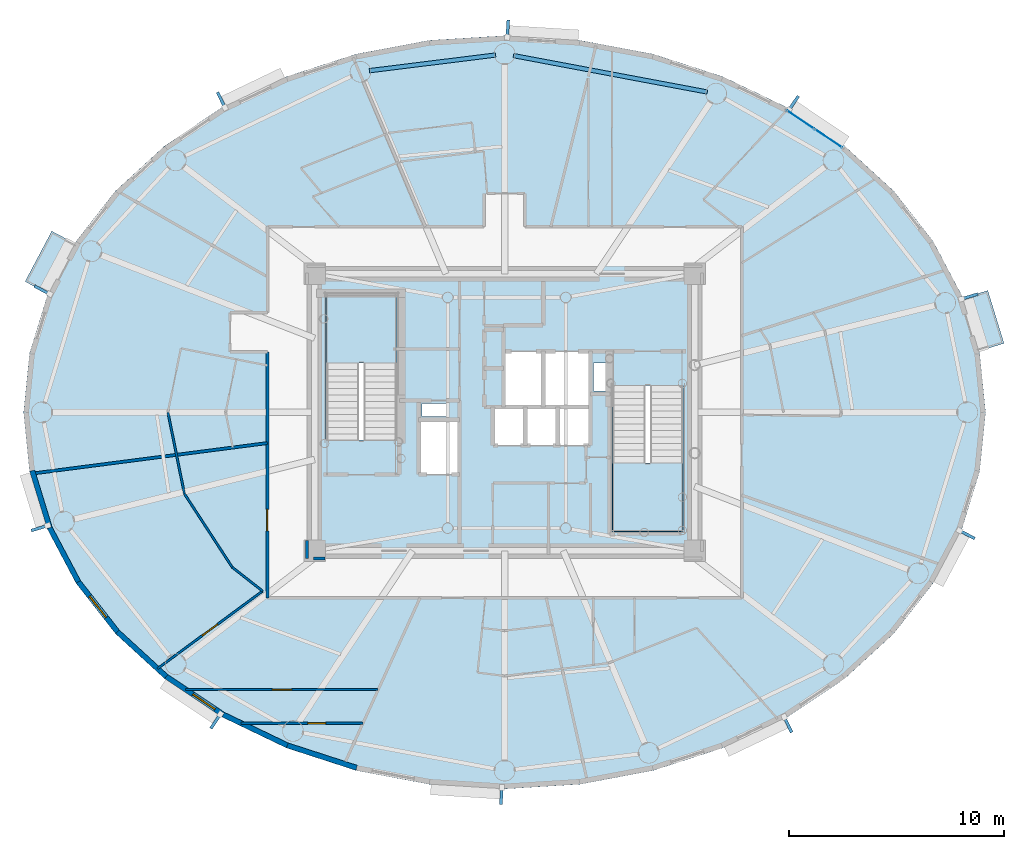
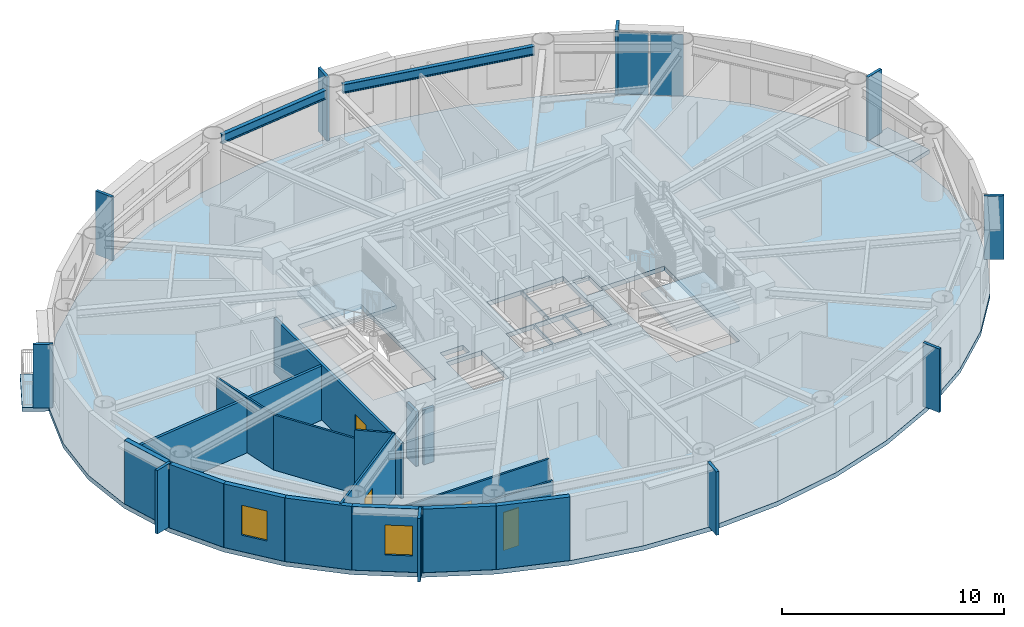
# One storey, part 4 of 17: 17 walls, 12 plates, 5 slabs, 4 doors, 2 beams, 2 windows, 6 openings, 3 elements without a shape of their own.
"""IFC4 building model written with IfcOpenShell, lengths in metres."""

import ifcopenshell
import ifcopenshell.guid

model = None  # the IFC model being written
_history = None  # IfcOwnerHistory: only IFC2X3 demands one
_inside = {}  # id of a spatial element -> (the spatial element, [elements in it])
_under = {}  # id of a project, library or spatial element -> (it, [spatial elements below it])
_declared = {}  # id of a project -> (the project, [libraries it declares])
_typed = {}  # id of a type object -> (the type object, [elements of that type])
_made_of = {}  # id of a material, layer set ... -> (it, [elements and type objects made of it])


def new_model(schema):
    """Start an empty IFC model of exactly this schema.

    Asked for "IFC4X3", IfcOpenShell would pick the latest addendum, in which some entities
    have other attributes; the version numbers below select the first issue.
    IFC2X3 requires an IfcOwnerHistory on every rooted entity: one is made here for all.
    """
    global model, _history
    if schema == "IFC4X3":
        model = ifcopenshell.file(schema_version=(4, 3, 0, 0))
    else:
        model = ifcopenshell.file(schema=schema)
    _inside.clear()
    _under.clear()
    _declared.clear()
    _typed.clear()
    _made_of.clear()
    _history = None
    if model.schema == "IFC2X3":
        org = make("IfcOrganization", Name="unknown")
        user = make(
            "IfcPersonAndOrganization",
            ThePerson=make("IfcPerson", FamilyName="unknown"),
            TheOrganization=org,
        )
        app = make(
            "IfcApplication",
            ApplicationDeveloper=org,
            Version="unknown",
            ApplicationFullName="unknown",
            ApplicationIdentifier="unknown",
        )
        _history = make(
            "IfcOwnerHistory",
            OwningUser=user,
            OwningApplication=app,
            ChangeAction="ADDED",
            CreationDate=0,
        )
    return model


def make(cls, **values):
    """One entity of the class cls with the attributes given. An attribute that is None is left unset."""
    return model.create_entity(
        cls, **{name: value for name, value in values.items() if value is not None}
    )


def rooted(cls, **values):
    """An entity with a GlobalId (a new one), such as an element, a storey or a relation."""
    return make(cls, GlobalId=ifcopenshell.guid.new(), OwnerHistory=_history, **values)


def si_unit(unit_type, name, prefix=None):
    """IfcSIUnit, for example si_unit("LENGTHUNIT", "METRE", prefix="MILLI")."""
    return make("IfcSIUnit", UnitType=unit_type, Prefix=prefix, Name=name)


def assignment(units):
    """IfcUnitAssignment: the units of a project."""
    return None if units is None else make("IfcUnitAssignment", Units=units)


def point(xyz):
    """IfcCartesianPoint."""
    return None if xyz is None else make("IfcCartesianPoint", Coordinates=xyz)


def direction(xyz):
    """IfcDirection."""
    return None if xyz is None else make("IfcDirection", DirectionRatios=xyz)


def frame(location, z_axis=None, x_axis=None):
    """IfcAxis2Placement3D, a coordinate frame: its origin and axes. An axis left out is left unset."""
    return make(
        "IfcAxis2Placement3D",
        Location=point(location),
        Axis=direction(z_axis),
        RefDirection=direction(x_axis),
    )


def frame_2d(location, x_axis=None):
    """IfcAxis2Placement2D, a coordinate frame in the plane: its origin and x axis."""
    return make(
        "IfcAxis2Placement2D", Location=point(location), RefDirection=direction(x_axis)
    )


def origin():
    """The frame at (0, 0, 0) with its axes left unset."""
    return frame((0.0, 0.0, 0.0))


def origin_2d():
    """The frame at (0, 0) in the plane with its x axis left unset."""
    return frame_2d((0.0, 0.0))


def place(relative_to, where):
    """IfcLocalPlacement: puts the frame where relative to a parent placement (None: the world)."""
    return make(
        "IfcLocalPlacement", PlacementRelTo=relative_to, RelativePlacement=where
    )


def context(
    kind, dimensions, precision=None, world=None, true_north=None, identifier=None
):
    """IfcGeometricRepresentationContext, for example the 3D "Model" context."""
    return make(
        "IfcGeometricRepresentationContext",
        ContextIdentifier=identifier,
        ContextType=kind,
        CoordinateSpaceDimension=dimensions,
        Precision=precision,
        WorldCoordinateSystem=world,
        TrueNorth=true_north,
    )


def subcontext(parent, identifier, kind, view, scale=None):
    """IfcGeometricRepresentationSubContext, for example "Body" below "Model"."""
    return make(
        "IfcGeometricRepresentationSubContext",
        ContextIdentifier=identifier,
        ContextType=kind,
        ParentContext=parent,
        TargetScale=scale,
        TargetView=view,
    )


def project(units=None, contexts=None):
    """IfcProject with its units and contexts."""
    return rooted(
        "IfcProject",
        Name="project",
        RepresentationContexts=contexts,
        UnitsInContext=assignment(units),
    )


def spatial(cls, under=None, at=None, **own):
    """A site, building, storey or space (cls), placed at a placement, below another one or the project."""
    s = rooted(cls, ObjectPlacement=at, **own)
    if under is not None:
        _under.setdefault(under.id(), (under, []))[1].append(s)
    return s


def polyline(points):
    """IfcPolyline through the points."""
    return make("IfcPolyline", Points=[point(p) for p in points])


def profile(cls, at=None, kind="AREA", **sizes):
    """A parametric profile (cls). Its sizes go by their IFC names, for example OverallWidth=200.0."""
    return make(cls, ProfileType=kind, Position=at, **sizes)


def rectangle(**sizes):
    """IfcRectangleProfileDef."""
    return profile("IfcRectangleProfileDef", **sizes)


def i_section(**sizes):
    """IfcIShapeProfileDef."""
    return profile("IfcIShapeProfileDef", **sizes)


def outline(outer, holes=None, kind="AREA"):
    """IfcArbitraryClosedProfileDef: a profile drawn as a closed curve; with holes, ...WithVoids."""
    if holes is None:
        return make("IfcArbitraryClosedProfileDef", ProfileType=kind, OuterCurve=outer)
    return make(
        "IfcArbitraryProfileDefWithVoids",
        ProfileType=kind,
        OuterCurve=outer,
        InnerCurves=holes,
    )


def extrude(swept, where, along, depth):
    """IfcExtrudedAreaSolid: the profile swept, set in the frame where, extruded along a direction by depth."""
    return make(
        "IfcExtrudedAreaSolid",
        SweptArea=swept,
        Position=where,
        ExtrudedDirection=direction(along),
        Depth=depth,
    )


def shape(context_of_items, identifier, shape_type, items):
    """IfcShapeRepresentation: the items that make up one representation, for example the "Body"."""
    return make(
        "IfcShapeRepresentation",
        ContextOfItems=context_of_items,
        RepresentationIdentifier=identifier,
        RepresentationType=shape_type,
        Items=items,
    )


def source(mapping_origin, context_of_items, identifier, shape_type, items):
    """IfcRepresentationMap: a shape defined once, which mapped items show again and again."""
    return make(
        "IfcRepresentationMap",
        MappingOrigin=mapping_origin,
        MappedRepresentation=shape(context_of_items, identifier, shape_type, items),
    )


def transform(
    local_origin,
    x_axis=None,
    y_axis=None,
    z_axis=None,
    scale=None,
    scale2=None,
    scale3=None,
    uniform=True,
):
    """IfcCartesianTransformationOperator3D, or its non-uniform kind. x_axis, y_axis, z_axis: its Axis1, 2, 3."""
    if uniform:
        return make(
            "IfcCartesianTransformationOperator3D",
            Axis1=direction(x_axis),
            Axis2=direction(y_axis),
            LocalOrigin=point(local_origin),
            Scale=scale,
            Axis3=direction(z_axis),
        )
    return make(
        "IfcCartesianTransformationOperator3DnonUniform",
        Axis1=direction(x_axis),
        Axis2=direction(y_axis),
        LocalOrigin=point(local_origin),
        Scale=scale,
        Axis3=direction(z_axis),
        Scale2=scale2,
        Scale3=scale3,
    )


def mapped(mapping_source, mapping_target):
    """IfcMappedItem: shows the shape of a source again, moved by a transform."""
    return make(
        "IfcMappedItem", MappingSource=mapping_source, MappingTarget=mapping_target
    )


def material(Name=None, Category=None):
    """IfcMaterial."""
    return make("IfcMaterial", Name=Name, Category=Category)


def layer(
    of_material, thickness, ventilated=None, Name=None, Category=None, Priority=None
):
    """IfcMaterialLayer: one layer of a wall or slab, of a material (None: an air gap)."""
    return make(
        "IfcMaterialLayer",
        Material=of_material,
        LayerThickness=thickness,
        IsVentilated=ventilated,
        Name=Name,
        Category=Category,
        Priority=Priority,
    )


def layer_set(layers, Name=None):
    """IfcMaterialLayerSet."""
    return make("IfcMaterialLayerSet", MaterialLayers=layers, LayerSetName=Name)


def material_profile(
    of_material, cross_section, Name=None, Category=None, Priority=None
):
    """IfcMaterialProfile: a cross section and its material."""
    return make(
        "IfcMaterialProfile",
        Name=Name,
        Material=of_material,
        Profile=cross_section,
        Priority=Priority,
        Category=Category,
    )


def profile_set(profiles, Name=None, composite=None):
    """IfcMaterialProfileSet."""
    return make(
        "IfcMaterialProfileSet",
        Name=Name,
        MaterialProfiles=profiles,
        CompositeProfile=composite,
    )


def made_of(thing, what):
    """Note that an element or type object is made of a material, layer set ...; save() writes the relation."""
    if what is not None:
        _made_of.setdefault(what.id(), (what, []))[1].append(thing)
    return thing


def type_object(cls, material=None, **own):
    """A type object (cls), such as IfcWallType, which elements share."""
    return made_of(rooted(cls, **own), material)


def element(
    cls,
    number,
    at=None,
    inside=None,
    cuts=None,
    type_object=None,
    material=None,
    context=None,
    identifier="Body",
    shape_type=None,
    held_by="IfcProductDefinitionShape",
    body=None,
    shapes=None,
    **own,
):
    """One element of the class cls, such as IfcWall. Its Tag is "e" and its number.

    at: its placement. inside: the storey or other place that contains it. cuts: it is an
    opening in that element (IfcRelVoidsElement). A single representation is given by context,
    identifier, shape_type and body (its items); several are given by shapes. held_by: the class
    of the entity that holds the representations. save() writes the other relations.
    """
    e = rooted(cls, Tag="e%d" % number, ObjectPlacement=at, **own)
    if body is not None:
        shapes = [shape(context, identifier, shape_type, body)]
    if shapes is not None:
        e.Representation = make(held_by, Representations=shapes)
    if inside is not None:
        _inside.setdefault(inside.id(), (inside, []))[1].append(e)
    if cuts is not None:
        rooted(
            "IfcRelVoidsElement", RelatingBuildingElement=cuts, RelatedOpeningElement=e
        )
    if type_object is not None:
        _typed.setdefault(type_object.id(), (type_object, []))[1].append(e)
    return made_of(e, material)


def fill(opening, filler):
    """IfcRelFillsElement: the door or window that sits in an opening."""
    return rooted(
        "IfcRelFillsElement",
        RelatingOpeningElement=opening,
        RelatedBuildingElement=filler,
    )


def aggregate(whole, parts):
    """IfcRelAggregates: a whole, such as a stair, and the parts it consists of."""
    return rooted("IfcRelAggregates", RelatingObject=whole, RelatedObjects=parts)


def save(model, path):
    """Write the relations noted so far, then the file.

    IfcRelAggregates (storeys below a building ...), IfcRelContainedInSpatialStructure (elements
    in a storey), IfcRelDefinesByType, IfcRelAssociatesMaterial and IfcRelDeclares: one each for
    every whole, place, type object, material and project.
    """
    for whole, parts in _under.values():
        aggregate(whole, parts)
    for where, things in _inside.values():
        rooted(
            "IfcRelContainedInSpatialStructure",
            RelatedElements=things,
            RelatingStructure=where,
        )
    for kind, things in _typed.values():
        rooted("IfcRelDefinesByType", RelatedObjects=things, RelatingType=kind)
    for what, things in _made_of.values():
        rooted("IfcRelAssociatesMaterial", RelatedObjects=things, RelatingMaterial=what)
    for by, libraries in _declared.values():
        rooted("IfcRelDeclares", RelatingContext=by, RelatedDefinitions=libraries)
    model.write(path)


model = new_model("IFC4")

# Units and contexts
model_context = context("Model", 3, precision=1e-05, world=origin(), true_north=direction((0.0, 1.0)))
body_context = subcontext(model_context, "Body", "Model", "MODEL_VIEW")
ifc_project = project(units=[si_unit("LENGTHUNIT", "METRE"), si_unit("AREAUNIT", "SQUARE_METRE"), si_unit("VOLUMEUNIT", "CUBIC_METRE"), si_unit("PLANEANGLEUNIT", "RADIAN"), si_unit("MASSUNIT", "GRAM", prefix="KILO")], contexts=[model_context])

# Site, building, storey
site_placement = place(None, origin())
site = spatial("IfcSite", under=ifc_project, at=site_placement, CompositionType="ELEMENT")
building_placement = place(site_placement, origin())
building = spatial("IfcBuilding", under=site, at=building_placement, Name="Linh Dai School and Residence Tower", CompositionType="ELEMENT")
storey_placement = place(building_placement, frame((0.0, 0.0, 303.0)))
storey = spatial("IfcBuildingStorey", under=building, at=storey_placement, Name="L75", CompositionType="ELEMENT", Elevation=303.0)

# Beams
ifc_material_1 = material(Name="Structural Steel S355JR", Category="steel")
ifc_material_profile = material_profile(ifc_material_1, i_section(OverallWidth=0.199951171875, OverallDepth=0.5, WebThickness=0.01025390625, FlangeThickness=0.01611328125, FilletRadius=0.02099609375, at=origin_2d()), Name="IPE 500")
ifc_profile_set = profile_set([ifc_material_profile], Name="Structural Steel S355JR")
beam_type = type_object("IfcBeamType", Name="BM-RB50", PredefinedType="BEAM", material=ifc_profile_set)
beam_1_placement = place(storey_placement, frame((45.441650390625, 41.916259765625, 3.25), z_axis=(-0.982805333306, 0.184644731378, 0.0), x_axis=(-0.184644731378, -0.982805333306, 0.0)))
element("IfcBeam", 1, at=beam_1_placement, inside=storey, type_object=beam_type, Name="L75 Perimeter Elliptical Ring Beam 04", PredefinedType="BEAM", context=body_context, shape_type="SweptSolid", body=[
    extrude(i_section(OverallWidth=0.199951171875, OverallDepth=0.5, WebThickness=0.01025390625, FlangeThickness=0.01611328125, FilletRadius=0.02099609375, at=origin_2d()), origin(), (0.0, 0.0, 1.0), 9.186767578125),
])
beam_2_placement = place(storey_placement, frame((35.583251953125, 43.638427734375, 3.25), z_axis=(-0.992399134443, -0.123060789678, 0.0), x_axis=(0.123060789678, -0.992399134443, 0.0)))
element("IfcBeam", 2, at=beam_2_placement, inside=storey, type_object=beam_type, Name="L75 Perimeter Elliptical Ring Beam 05", PredefinedType="BEAM", context=body_context, shape_type="SweptSolid", body=[
    extrude(i_section(OverallWidth=0.199951171875, OverallDepth=0.5, WebThickness=0.01025390625, FlangeThickness=0.01611328125, FilletRadius=0.02099609375, at=origin_2d()), origin(), (0.0, 0.0, 1.0), 5.923828125),
])

# Slabs
ifc_material_2 = material(Name="Concrete B45 (C35/45)", Category="concrete")
ifc_layer_1 = layer(ifc_material_2, 0.219970703125)
ifc_layer_set_1 = layer_set([ifc_layer_1], Name="Concrete B45 (C35/45)")
slab_type_1 = type_object("IfcSlabType", Name="SLB-BALC-220", PredefinedType="FLOOR", material=ifc_layer_set_1)
slab_1_placement = place(storey_placement, frame((0.0, 0.0, -0.219970703125)))
element("IfcSlab", 3, at=slab_1_placement, inside=storey, type_object=slab_type_1, Name="L75 Sliding Balcony Slab 02", PredefinedType="FLOOR", context=body_context, shape_type="SweptSolid", body=[
    extrude(outline(polyline([(57.260498046875, 32.289794921875), (58.015380859375, 29.827880859375), (59.25830078125, 30.208984375), (58.50341796875, 32.6708984375), (57.260498046875, 32.289794921875)])), origin(), (0.0, 0.0, 1.0), 0.219970703125),
])
slab_2_placement = place(storey_placement, frame((0.0, 0.0, -0.219970703125)))
element("IfcSlab", 4, at=slab_2_placement, inside=storey, type_object=slab_type_1, Name="L75 Sliding Balcony Slab 18", PredefinedType="FLOOR", context=body_context, shape_type="SweptSolid", body=[
    extrude(outline(polyline([(14.81884765625, 32.481689453125), (16.0595703125, 34.827392578125), (14.91064453125, 35.435302734375), (13.669677734375, 33.089599609375), (14.81884765625, 32.481689453125)])), origin(), (0.0, 0.0, 1.0), 0.219970703125),
])
ifc_layer_2 = layer(ifc_material_2, 0.25)
ifc_layer_set_2 = layer_set([ifc_layer_2], Name="Concrete B45 (C35/45)")
slab_type_2 = type_object("IfcSlabType", Name="SLB-FLR250", PredefinedType="FLOOR", material=ifc_layer_set_2)
slab_3_placement = place(storey_placement, frame((0.0, 0.0, -0.25)))
element("IfcSlab", 5, at=slab_3_placement, inside=storey, type_object=slab_type_2, Name="L75 Composite Structural Floor Slab", PredefinedType="FLOOR", context=body_context, shape_type="SweptSolid", body=[
    extrude(outline(polyline([(58.39990234375, 27.0), (58.124267578125, 29.743896484375), (57.3037109375, 32.420166015625), (55.95849609375, 34.962890625), (54.1220703125, 37.309814453125), (51.839111328125, 39.402587890625), (49.16650390625, 41.190185546875), (46.16943359375, 42.628173828125), (42.921875, 43.681640625), (39.504150390625, 44.323974609375), (36.0, 44.5400390625), (32.495849609375, 44.323974609375), (29.078125, 43.681640625), (25.83056640625, 42.628173828125), (22.83349609375, 41.190185546875), (20.160888671875, 39.402587890625), (17.8779296875, 37.309814453125), (16.04150390625, 34.962890625), (14.6962890625, 32.420166015625), (13.875732421875, 29.743896484375), (13.60009765625, 27.0), (13.875732421875, 24.256103515625), (14.6962890625, 21.579833984375), (16.04150390625, 19.037109375), (17.8779296875, 16.690185546875), (20.160888671875, 14.597412109375), (22.83349609375, 12.809814453125), (25.83056640625, 11.371826171875), (29.078125, 10.318359375), (32.495849609375, 9.676025390625), (36.0, 9.4599609375), (39.504150390625, 9.676025390625), (42.921875, 10.318359375), (46.16943359375, 11.371826171875), (49.16650390625, 12.809814453125), (51.839111328125, 14.597412109375), (54.1220703125, 16.690185546875), (55.95849609375, 19.037109375), (57.3037109375, 21.579833984375), (58.124267578125, 24.256103515625), (58.39990234375, 27.0)]), holes=[polyline([(30.97998046875, 25.699951171875), (30.97998046875, 32.5), (27.679931640625, 32.5), (27.679931640625, 25.699951171875), (30.97998046875, 25.699951171875)]), polyline([(41.02001953125, 28.25), (41.02001953125, 21.449951171875), (44.320068359375, 21.449951171875), (44.320068359375, 28.25), (41.02001953125, 28.25)]), polyline([(35.97998046875, 27.280029296875), (37.77001953125, 27.280029296875), (37.77001953125, 29.820068359375), (35.97998046875, 29.820068359375), (35.97998046875, 27.280029296875)]), polyline([(32.030029296875, 24.1298828125), (33.8701171875, 24.1298828125), (33.8701171875, 26.6201171875), (32.030029296875, 26.6201171875), (32.030029296875, 24.1298828125)]), polyline([(37.830078125, 27.280029296875), (39.969970703125, 27.280029296875), (39.969970703125, 29.820068359375), (37.830078125, 29.820068359375), (37.830078125, 27.280029296875)]), polyline([(35.47998046875, 25.47998046875), (36.929931640625, 25.47998046875), (36.929931640625, 27.219970703125), (35.47998046875, 27.219970703125), (35.47998046875, 25.47998046875)]), polyline([(36.989990234375, 25.47998046875), (38.449951171875, 25.47998046875), (38.449951171875, 27.219970703125), (36.989990234375, 27.219970703125), (36.989990234375, 25.47998046875)]), polyline([(38.510009765625, 25.47998046875), (39.969970703125, 25.47998046875), (39.969970703125, 27.219970703125), (38.510009765625, 27.219970703125), (38.510009765625, 25.47998046875)]), polyline([(40.14990234375, 28.0), (40.14990234375, 29.300048828125), (41.0, 29.300048828125), (41.0, 28.280029296875), (40.989990234375, 28.280029296875), (40.989990234375, 28.0), (40.14990234375, 28.0)]), polyline([(32.14990234375, 26.800048828125), (33.35009765625, 26.800048828125), (33.35009765625, 27.39990234375), (32.14990234375, 27.39990234375), (32.14990234375, 26.800048828125)])]), origin(), (0.0, 0.0, 1.0), 0.25),
])

# Stair, slab
stair_type = type_object("IfcStairType", Name="ST-DOG-1550-R1442", PredefinedType="HALF_TURN_STAIR", material=ifc_material_2)
stair_1_placement = place(storey_placement, origin())
stair_1 = element("IfcStair", 6, at=stair_1_placement, inside=storey, type_object=stair_type, Name="L75 Core Smokeproof Exit Stair ST1", PredefinedType="HALF_TURN_STAIR")
ifc_layer_3 = layer(ifc_material_2, 0.199951171875)
ifc_layer_set_3 = layer_set([ifc_layer_3], Name="Concrete B45 (C35/45)")
slab_type_3 = type_object("IfcSlabType", Name="SLB-ST-LANDING-200", PredefinedType="LANDING", material=ifc_layer_set_3)
slab_4_placement = place(storey_placement, frame((0.0, 0.0, 1.675048828125)))
slab_4 = element("IfcSlab", 7, at=slab_4_placement, type_object=slab_type_3, Name="ST1 landing 1", PredefinedType="LANDING", context=body_context, shape_type="SweptSolid", body=[
    extrude(outline(polyline([(30.97998046875, 29.300048828125), (30.97998046875, 32.5), (27.679931640625, 32.5), (27.679931640625, 29.300048828125), (30.97998046875, 29.300048828125)])), origin(), (0.0, 0.0, 1.0), 0.199951171875),
])
aggregate(stair_1, [slab_4])

stair_2_placement = place(storey_placement, origin())
stair_2 = element("IfcStair", 8, at=stair_2_placement, inside=storey, type_object=stair_type, Name="L75 Core Smokeproof Exit Stair ST2", PredefinedType="HALF_TURN_STAIR")
slab_5_placement = place(storey_placement, frame((0.0, 0.0, 1.675048828125)))
slab_5 = element("IfcSlab", 9, at=slab_5_placement, type_object=slab_type_3, Name="ST2 landing 1", PredefinedType="LANDING", context=body_context, shape_type="SweptSolid", body=[
    extrude(outline(polyline([(41.02001953125, 24.64990234375), (41.02001953125, 21.449951171875), (44.320068359375, 21.449951171875), (44.320068359375, 24.64990234375), (41.02001953125, 24.64990234375)])), origin(), (0.0, 0.0, 1.0), 0.199951171875),
])
aggregate(stair_2, [slab_5])

# Plates
ifc_material_3 = material(Name="Precast Concrete B45 (C35/45)", Category="concrete")
ifc_layer_4 = layer(ifc_material_3, 0.139892578125)
ifc_layer_set_4 = layer_set([ifc_layer_4], Name="Precast Concrete B45 (C35/45)")
plate_type_1 = type_object("IfcPlateType", Name="FIN-TC-900x140", PredefinedType="USERDEFINED", material=ifc_layer_set_4)
shared_shape_1 = source(origin(), body_context, "Body", "SweptSolid", [
    extrude(rectangle(XDim=0.89990234375, YDim=0.139892578125, at=origin_2d()), origin(), (0.0, 0.0, 1.0), 3.5),
])
for number, where, z_axis, x_axis, name in (
    (10, (57.615478515625, 32.377685546875, 0.0), (0.0, 0.0, 1.0), (0.956069236934, 0.293140945944, 0.0), "L75 Precast Terracotta Radial Fin 02"),
    (11, (49.43212890625, 41.355712890625, 0.0), (0.0, 0.0, 1.0), (0.555907926874, 0.831243873264, 0.0), "L75 Precast Terracotta Radial Fin 06"),
    (12, (36.14501953125, 44.81689453125, 0.0), (0.0, 0.0, 1.0), (0.061509965157, 0.998106469364, 0.0), "L75 Precast Terracotta Radial Fin 10"),
    (13, (22.826171875, 41.503173828125, 0.0), (0.0, 0.0, 1.0), (-0.432611916456, 0.901580240323, 0.0), "L75 Precast Terracotta Radial Fin 14"),
    (14, (14.50537109375, 32.669921875, 0.0), (0.0, 0.0, 1.0), (-0.883938310975, 0.467603531201, 0.0), "L75 Precast Terracotta Radial Fin 18"),
    (15, (14.384521484375, 21.622314453125, 0.0), (0.0, 0.0, 1.0), (-0.956069236934, -0.293140945944, 0.0), "L75 Precast Terracotta Radial Fin 22"),
    (16, (22.56787109375, 12.644287109375, 0.0), (0.0, 0.0, 1.0), (-0.555905765624, -0.831245318631, 0.0), "L75 Precast Terracotta Radial Fin 26"),
    (17, (35.85498046875, 9.18310546875, 0.0), (0.0, 0.0, 1.0), (-0.061509965157, -0.998106469364, 0.0), "L75 Precast Terracotta Radial Fin 30"),
    (18, (49.173828125, 12.496826171875, 0.0), (0.0, 0.0, 1.0), (0.432611916456, -0.901580240323, 0.0), "L75 Precast Terracotta Radial Fin 34"),
    (19, (57.49462890625, 21.330078125, 0.0), (0.0, 0.0, 1.0), (0.883938310975, -0.467603531201, 0.0), "L75 Precast Terracotta Radial Fin 38"),
):
    element("IfcPlate", number, at=place(storey_placement, frame(where, z_axis=z_axis, x_axis=x_axis)), inside=storey, type_object=plate_type_1, Name=name, ObjectType="RADIAL FIN", PredefinedType="USERDEFINED", context=body_context, shape_type="MappedRepresentation", body=[
        mapped(shared_shape_1, transform((0.0, 0.0, 0.0), x_axis=(1.0, 0.0, 0.0), y_axis=(0.0, 1.0, 0.0), z_axis=(0.0, 0.0, 1.0), scale=1.0)),
    ])

# Curtain wall, plates
ifc_material_4 = material(Name="Aluminium Anodised Curtain Wall", Category="aluminium")
ifc_layer_5 = layer(ifc_material_4, 0.14990234375)
ifc_layer_set_5 = layer_set([ifc_layer_5], Name="Aluminium Anodised Curtain Wall")
curtain_wall_type = type_object("IfcCurtainWallType", Name="CW-SYS-4", PredefinedType="USERDEFINED", material=ifc_layer_set_5)
curtain_wall_placement = place(storey_placement, origin())
curtain_wall = element("IfcCurtainWall", 20, at=curtain_wall_placement, inside=storey, type_object=curtain_wall_type, Name="L75 CW4 Curtain Wall 06", ObjectType="RIBBON CURTAIN WALL", PredefinedType="USERDEFINED")
ifc_material_5 = material(Name="Double Low-E Insulated Glazing", Category="glass")
ifc_layer_6 = layer(ifc_material_5, 0.02587890625)
ifc_layer_set_6 = layer_set([ifc_layer_6], Name="Double Low-E Insulated Glazing")
plate_type_2 = type_object("IfcPlateType", Name="CW-SYS-4-PAN", PredefinedType="CURTAIN_PANEL", material=ifc_layer_set_6)
shared_shape_2 = source(origin(), body_context, "Body", "SweptSolid", [
    extrude(rectangle(XDim=1.5205078125, YDim=0.02587890625, at=origin_2d()), origin(), (0.0, 0.0, 1.0), 3.39599609375),
])
plate_1_placement = place(storey_placement, frame((49.77978515625, 40.6298828125, 0.052001953125), z_axis=(0.0, 0.0, 1.0), x_axis=(0.831243873264, -0.555907926874, 0.0)))
plate_1 = element("IfcPlate", 21, at=plate_1_placement, type_object=plate_type_2, Name="CW4 panel 1.1", PredefinedType="CURTAIN_PANEL", context=body_context, shape_type="MappedRepresentation", body=[
    mapped(shared_shape_2, transform((0.0, 0.0, 0.0), x_axis=(1.0, 0.0, 0.0), y_axis=(0.0, 1.0, 0.0), z_axis=(0.0, 0.0, 1.0), scale=1.0)),
])
plate_2_placement = place(storey_placement, frame((51.0869140625, 39.755859375, 0.052001953125), z_axis=(0.0, 0.0, 1.0), x_axis=(0.831243873264, -0.555907926874, 0.0)))
plate_2 = element("IfcPlate", 22, at=plate_2_placement, type_object=plate_type_2, Name="CW4 panel 2.1", PredefinedType="CURTAIN_PANEL", context=body_context, shape_type="MappedRepresentation", body=[
    mapped(shared_shape_2, transform((0.0, 0.0, 0.0), x_axis=(1.0, 0.0, 0.0), y_axis=(0.0, 1.0, 0.0), z_axis=(0.0, 0.0, 1.0), scale=1.0)),
])
aggregate(curtain_wall, [plate_1, plate_2])

# Walls
ifc_layer_7 = layer(ifc_material_3, 0.239990234375)
ifc_layer_set_7 = layer_set([ifc_layer_7], Name="Precast Concrete B45 (C35/45)")
wall_type_1 = type_object("IfcWallType", Name="EW-TC-240", PredefinedType="SOLIDWALL", material=ifc_layer_set_7)
wall_1_placement = place(storey_placement, frame((14.811767578125, 21.627685546875, 0.0), z_axis=(0.0, 0.0, 1.0), x_axis=(-0.2931213403, 0.956075248012, 0.0)))
element("IfcWall", 23, at=wall_1_placement, inside=storey, type_object=wall_type_1, Name="L75 Terracotta Exterior Wall 22", PredefinedType="SOLIDWALL", context=body_context, shape_type="SweptSolid", body=[
    extrude(rectangle(XDim=2.775146484375, YDim=0.239990234375, at=frame_2d((1.3876953125, 0.0))), origin(), (0.0, 0.0, 1.0), 3.5),
])
wall_2_placement = place(storey_placement, frame((16.146240234375, 19.105224609375, 0.0), z_axis=(0.0, 0.0, 1.0), x_axis=(-0.467628269026, 0.883925224218, 0.0)))
element("IfcWall", 24, at=wall_2_placement, inside=storey, type_object=wall_type_1, Name="L75 Terracotta Exterior Wall 23", PredefinedType="SOLIDWALL", context=body_context, shape_type="SweptSolid", body=[
    extrude(rectangle(XDim=2.853759765625, YDim=0.239990234375, at=frame_2d((1.4267578125, 0.0))), origin(), (0.0, 0.0, 1.0), 3.5),
])

# Wall, opening, window
wall_3_placement = place(storey_placement, frame((17.9697265625, 16.775390625, 0.0), z_axis=(0.0, 0.0, 1.0), x_axis=(-0.616337186556, 0.787482363275, 0.0)))
wall_3 = element("IfcWall", 25, at=wall_3_placement, inside=storey, type_object=wall_type_1, Name="L75 Terracotta Exterior Wall 24", PredefinedType="SOLIDWALL", context=body_context, shape_type="SweptSolid", body=[
    extrude(rectangle(XDim=2.95849609375, YDim=0.239990234375, at=frame_2d((1.479248046875, 0.0))), origin(), (0.0, 0.0, 1.0), 3.5),
])
opening_1_placement = place(wall_3_placement, frame((0.85400390625, 0.0, 0.89990234375)))
opening_1 = element("IfcOpeningElement", 26, at=opening_1_placement, cuts=wall_3, Name="Opening W3", PredefinedType="OPENING", context=body_context, shape_type="SweptSolid", body=[
    extrude(rectangle(XDim=1.25, YDim=1.64990234375, at=origin_2d()), frame((0.625, 0.1298828125, 0.824951171875), z_axis=(0.0, -1.0, 0.0), x_axis=(1.0, 0.0, 0.0)), (0.0, 0.0, 1.0), 0.260009765625),
])
window_type = type_object("IfcWindowType", Name="WN-RES-1250x1650", PartitioningType="SINGLE_PANEL", PredefinedType="WINDOW", material=ifc_material_5)
shared_shape_3 = source(origin(), body_context, "Body", "SweptSolid", [
    extrude(rectangle(XDim=1.25, YDim=1.64990234375, at=origin_2d()), frame((0.625, 0.030029296875, 0.824951171875), z_axis=(0.0, -1.0, 0.0), x_axis=(1.0, 0.0, 0.0)), (0.0, 0.0, 1.0), 0.06005859375),
])
window_1_placement = place(opening_1_placement, origin())
window_1 = element("IfcWindow", 27, at=window_1_placement, inside=storey, type_object=window_type, Name="L75 Exterior Window 24.1", OverallHeight=1.64990234375, OverallWidth=1.25, PartitioningType="SINGLE_PANEL", PredefinedType="WINDOW", context=body_context, shape_type="MappedRepresentation", body=[
    mapped(shared_shape_3, transform((0.0, 0.0, 0.0), x_axis=(1.0, 0.0, 0.0), y_axis=(0.0, 1.0, 0.0), z_axis=(0.0, 0.0, 1.0), scale=1.0)),
])
fill(opening_1, window_1)

# Wall
wall_4_placement = place(storey_placement, frame((20.23779296875, 14.69580078125, 0.0), z_axis=(0.0, 0.0, 1.0), x_axis=(-0.737068506972, 0.675818034703, 0.0)))
element("IfcWall", 28, at=wall_4_placement, inside=storey, type_object=wall_type_1, Name="L75 Terracotta Exterior Wall 25", PredefinedType="SOLIDWALL", context=body_context, shape_type="SweptSolid", body=[
    extrude(rectangle(XDim=3.0771484375, YDim=0.239990234375, at=frame_2d((1.53857421875, 0.0))), origin(), (0.0, 0.0, 1.0), 3.5),
])

# Wall, opening, window
wall_5_placement = place(storey_placement, frame((22.8955078125, 12.91845703125, 0.0), z_axis=(0.0, 0.0, 1.0), x_axis=(-0.831250592635, 0.55589787933, 0.0)))
wall_5 = element("IfcWall", 29, at=wall_5_placement, inside=storey, type_object=wall_type_1, Name="L75 Terracotta Exterior Wall 26", PredefinedType="SOLIDWALL", context=body_context, shape_type="SweptSolid", body=[
    extrude(rectangle(XDim=3.197265625, YDim=0.239990234375, at=frame_2d((1.5986328125, 0.0))), origin(), (0.0, 0.0, 1.0), 3.5),
])
opening_2_placement = place(wall_5_placement, frame((0.45751953125, 0.0, 0.89990234375)))
opening_2 = element("IfcOpeningElement", 30, at=opening_2_placement, cuts=wall_5, Name="Opening W3", PredefinedType="OPENING", context=body_context, shape_type="SweptSolid", body=[
    extrude(rectangle(XDim=1.25, YDim=1.64990234375, at=origin_2d()), frame((0.625, 0.1298828125, 0.824951171875), z_axis=(0.0, -1.0, 0.0), x_axis=(1.0, 0.0, 0.0)), (0.0, 0.0, 1.0), 0.260009765625),
])
window_2_placement = place(opening_2_placement, origin())
window_2 = element("IfcWindow", 31, at=window_2_placement, inside=storey, type_object=window_type, Name="L75 Dwelling Window U7504-LIV", OverallHeight=1.64990234375, OverallWidth=1.25, PartitioningType="SINGLE_PANEL", PredefinedType="WINDOW", context=body_context, shape_type="MappedRepresentation", body=[
    mapped(shared_shape_3, transform((0.0, 0.0, 0.0), x_axis=(1.0, 0.0, 0.0), y_axis=(0.0, 1.0, 0.0), z_axis=(0.0, 0.0, 1.0), scale=1.0)),
])
fill(opening_2, window_2)

# Walls
wall_6_placement = place(storey_placement, frame((25.876953125, 11.48779296875, 0.0), z_axis=(0.0, 0.0, 1.0), x_axis=(-0.901573741254, 0.43262546051, 0.0)))
element("IfcWall", 32, at=wall_6_placement, inside=storey, type_object=wall_type_1, Name="L75 Terracotta Exterior Wall 27", PredefinedType="SOLIDWALL", context=body_context, shape_type="SweptSolid", body=[
    extrude(rectangle(XDim=3.306884765625, YDim=0.239990234375, at=frame_2d((1.6533203125, 0.0))), origin(), (0.0, 0.0, 1.0), 3.5),
])
wall_7_placement = place(storey_placement, frame((29.10888671875, 10.439697265625, 0.0), z_axis=(0.0, 0.0, 1.0), x_axis=(-0.95123136723, 0.308478339592, 0.0)))
element("IfcWall", 33, at=wall_7_placement, inside=storey, type_object=wall_type_1, Name="L75 Terracotta Exterior Wall 28", PredefinedType="SOLIDWALL", context=body_context, shape_type="SweptSolid", body=[
    extrude(rectangle(XDim=3.397705078125, YDim=0.239990234375, at=frame_2d((1.69873046875, 0.0))), origin(), (0.0, 0.0, 1.0), 3.5),
])
ifc_material_6 = material(Name="Autoclaved Aerated Concrete Blockwork", Category="masonry")
ifc_layer_8 = layer(ifc_material_6, 0.135009765625)
ifc_layer_set_8 = layer_set([ifc_layer_8], Name="Autoclaved Aerated Concrete Blockwork")
wall_type_2 = type_object("IfcWallType", Name="IW-CORR-135-EI90", PredefinedType="PARTITIONING", material=ifc_layer_set_8)
wall_8_placement = place(storey_placement, frame((14.032958984375, 24.15087890625, 0.0), z_axis=(0.0, 0.0, 1.0), x_axis=(0.99169266035, 0.128629963101, 0.0)))
element("IfcWall", 34, at=wall_8_placement, inside=storey, type_object=wall_type_2, Name="L75 Interior Partition Wall 001", PredefinedType="PARTITIONING", context=body_context, shape_type="SweptSolid", body=[
    extrude(rectangle(XDim=11.008544921875, YDim=0.135009765625, at=frame_2d((5.50439453125, 0.0))), origin(), (0.0, 0.0, 1.0), 2.985107421875),
])

# Wall, opening, door
wall_9_placement = place(storey_placement, frame((24.949951171875, 18.35009765625, 0.0), z_axis=(0.0, 0.0, 1.0), x_axis=(0.0, 1.0, 0.0)))
wall_9 = element("IfcWall", 35, at=wall_9_placement, inside=storey, type_object=wall_type_2, Name="L75 Interior Partition Wall 016", PredefinedType="PARTITIONING", context=body_context, shape_type="SweptSolid", body=[
    extrude(rectangle(XDim=11.449951171875, YDim=0.135009765625, at=frame_2d((5.72509765625, 0.0))), origin(), (0.0, 0.0, 1.0), 3.034912109375),
])
opening_3_placement = place(wall_9_placement, frame((3.12841796875, 0.0, 0.0)))
opening_3 = element("IfcOpeningElement", 36, at=opening_3_placement, cuts=wall_9, Name="Opening D03", PredefinedType="OPENING", context=body_context, shape_type="SweptSolid", body=[
    extrude(rectangle(XDim=1.0, YDim=2.14990234375, at=origin_2d()), frame((0.5, 0.07763671875, 1.074951171875), z_axis=(0.0, -1.0, 0.0), x_axis=(1.0, 0.0, 0.0)), (0.0, 0.0, 1.0), 0.155029296875),
])
ifc_material_7 = material(Name="Fire-Rated Solid Timber Entrance Door", Category="wood")
door_type_1 = type_object("IfcDoorType", Name="DR-FLAT-1000x2150-FD60S", OperationType="NOTDEFINED", PredefinedType="DOOR", material=ifc_material_7)
shared_shape_4 = source(origin(), body_context, "Body", "SweptSolid", [
    extrude(rectangle(XDim=1.0, YDim=2.14990234375, at=origin_2d()), frame((0.5, 0.02490234375, 1.074951171875), z_axis=(0.0, -1.0, 0.0), x_axis=(1.0, 0.0, 0.0)), (0.0, 0.0, 1.0), 0.050048828125),
])
door_1_placement = place(opening_3_placement, origin())
door_1 = element("IfcDoor", 37, at=door_1_placement, inside=storey, type_object=door_type_1, Name="L75 U7504 Apartment Entrance Door", OperationType="SINGLE_SWING_RIGHT", OverallHeight=2.14990234375, OverallWidth=1.0, PredefinedType="DOOR", context=body_context, shape_type="MappedRepresentation", body=[
    mapped(shared_shape_4, transform((0.0, 0.0, 0.0), x_axis=(1.0, 0.0, 0.0), y_axis=(0.0, 1.0, 0.0), z_axis=(0.0, 0.0, 1.0), scale=1.0)),
])
fill(opening_3, door_1)

# Walls
wall_10_placement = place(storey_placement, frame((26.800048828125, 21.0400390625, 0.0), z_axis=(0.0, 0.0, 1.0), x_axis=(0.0, -1.0, 0.0)))
element("IfcWall", 38, at=wall_10_placement, inside=storey, type_object=wall_type_2, Name="L75 Interior Partition Wall 098", PredefinedType="PARTITIONING", context=body_context, shape_type="SweptSolid", body=[
    extrude(rectangle(XDim=0.840087890625, YDim=0.135009765625, at=frame_2d((0.419921875, 0.0))), origin(), (0.0, 0.0, 1.0), 3.034912109375),
])
wall_11_placement = place(storey_placement, frame((27.107421875, 20.199951171875, 0.0), z_axis=(0.0, 0.0, 1.0), x_axis=(1.0, 0.0, 0.0)))
element("IfcWall", 39, at=wall_11_placement, inside=storey, type_object=wall_type_2, Name="L75 Interior Partition Wall 099", PredefinedType="PARTITIONING", context=body_context, shape_type="SweptSolid", body=[
    extrude(rectangle(XDim=0.532470703125, YDim=0.135009765625, at=frame_2d((0.26611328125, 0.0))), origin(), (0.0, 0.0, 1.0), 3.034912109375),
])

# Wall, opening, door
ifc_material_8 = material(Name="Gypsum Plasterboard Acoustic Stud Partition", Category="masonry")
ifc_layer_9 = layer(ifc_material_8, 0.10009765625)
ifc_layer_set_9 = layer_set([ifc_layer_9], Name="Gypsum Plasterboard Acoustic Stud Partition")
wall_type_3 = type_object("IfcWallType", Name="IW-UNIT-100", PredefinedType="PARTITIONING", material=ifc_layer_set_9)
wall_12_placement = place(storey_placement, frame((19.83349609375, 15.059814453125, 0.0), z_axis=(0.0, 0.0, 1.0), x_axis=(0.804387847123, 0.594104529019, 0.0)))
wall_12 = element("IfcWall", 40, at=wall_12_placement, inside=storey, type_object=wall_type_3, Name="L75 Interior Partition Wall 003", PredefinedType="PARTITIONING", context=body_context, shape_type="SweptSolid", body=[
    extrude(rectangle(XDim=6.0859375, YDim=0.10009765625, at=frame_2d((3.04296875, 0.0))), origin(), (0.0, 0.0, 1.0), 3.5),
])
opening_4_placement = place(wall_12_placement, frame((2.593017578125, 0.0, 0.0)))
opening_4 = element("IfcOpeningElement", 41, at=opening_4_placement, cuts=wall_12, Name="Opening D05", PredefinedType="OPENING", context=body_context, shape_type="SweptSolid", body=[
    extrude(rectangle(XDim=0.89990234375, YDim=2.10009765625, at=origin_2d()), frame((0.449951171875, 0.06005859375, 1.050048828125), z_axis=(0.0, -1.0, 0.0), x_axis=(1.0, 0.0, 0.0)), (0.0, 0.0, 1.0), 0.1201171875),
])
ifc_material_9 = material(Name="Engineered Timber Internal Door", Category="wood")
door_type_2 = type_object("IfcDoorType", Name="DR-INT-900x2100", OperationType="NOTDEFINED", PredefinedType="DOOR", material=ifc_material_9)
shared_shape_5 = source(origin(), body_context, "Body", "SweptSolid", [
    extrude(rectangle(XDim=0.89990234375, YDim=2.10009765625, at=origin_2d()), frame((0.449951171875, 0.02490234375, 1.050048828125), z_axis=(0.0, -1.0, 0.0), x_axis=(1.0, 0.0, 0.0)), (0.0, 0.0, 1.0), 0.050048828125),
])
door_2_placement = place(opening_4_placement, origin())
door_2 = element("IfcDoor", 42, at=door_2_placement, inside=storey, type_object=door_type_2, Name="L75 Apartment U7504 Principal Bedroom 1 Door", OperationType="SINGLE_SWING_LEFT", OverallHeight=2.10009765625, OverallWidth=0.89990234375, PredefinedType="DOOR", context=body_context, shape_type="MappedRepresentation", body=[
    mapped(shared_shape_5, transform((0.0, 0.0, 0.0), x_axis=(1.0, 0.0, 0.0), y_axis=(0.0, 1.0, 0.0), z_axis=(0.0, 0.0, 1.0), scale=1.0)),
])
fill(opening_4, door_2)

# Walls
wall_13_placement = place(storey_placement, frame((20.320068359375, 27.0, 0.0), z_axis=(0.0, 0.0, 1.0), x_axis=(0.198226068862, -0.980156327135, 0.0)))
element("IfcWall", 43, at=wall_13_placement, inside=storey, type_object=wall_type_3, Name="L75 Interior Partition Wall 005", PredefinedType="PARTITIONING", context=body_context, shape_type="SweptSolid", body=[
    extrude(rectangle(XDim=3.87109375, YDim=0.10009765625, at=frame_2d((1.935546875, 0.0))), origin(), (0.0, 0.0, 1.0), 3.034912109375),
])
wall_14_placement = place(storey_placement, frame((21.08740234375, 23.205810546875, 0.0), z_axis=(0.0, 0.0, 1.0), x_axis=(0.545435886628, -0.838152547916, 0.0)))
element("IfcWall", 44, at=wall_14_placement, inside=storey, type_object=wall_type_3, Name="L75 Interior Partition Wall 007", PredefinedType="PARTITIONING", context=body_context, shape_type="SweptSolid", body=[
    extrude(rectangle(XDim=4.08349609375, YDim=0.10009765625, at=frame_2d((2.041748046875, 0.0))), origin(), (0.0, 0.0, 1.0), 3.034912109375),
])

# Wall, opening, door
wall_15_placement = place(storey_placement, frame((21.14404296875, 14.083740234375, 0.0), z_axis=(0.0, 0.0, 1.0), x_axis=(1.0, 0.0, 0.0)))
wall_15 = element("IfcWall", 45, at=wall_15_placement, inside=storey, type_object=wall_type_3, Name="L75 Interior Partition Wall 008", PredefinedType="PARTITIONING", context=body_context, shape_type="SweptSolid", body=[
    extrude(rectangle(XDim=8.971435546875, YDim=0.10009765625, at=frame_2d((4.48583984375, 0.0))), origin(), (0.0, 0.0, 1.0), 2.985107421875),
])
opening_5_placement = place(wall_15_placement, frame((4.035888671875, 0.0, 0.0)))
opening_5 = element("IfcOpeningElement", 46, at=opening_5_placement, cuts=wall_15, Name="Opening D05", PredefinedType="OPENING", context=body_context, shape_type="SweptSolid", body=[
    extrude(rectangle(XDim=0.89990234375, YDim=2.10009765625, at=origin_2d()), frame((0.449951171875, 0.06005859375, 1.050048828125), z_axis=(0.0, -1.0, 0.0), x_axis=(1.0, 0.0, 0.0)), (0.0, 0.0, 1.0), 0.1201171875),
])
door_3_placement = place(opening_5_placement, origin())
door_3 = element("IfcDoor", 47, at=door_3_placement, inside=storey, type_object=door_type_2, Name="L75 Apartment U7504 Kitchen Door", OperationType="SINGLE_SWING_RIGHT", OverallHeight=2.10009765625, OverallWidth=0.89990234375, PredefinedType="DOOR", context=body_context, shape_type="MappedRepresentation", body=[
    mapped(shared_shape_5, transform((0.0, 0.0, 0.0), x_axis=(1.0, 0.0, 0.0), y_axis=(0.0, 1.0, 0.0), z_axis=(0.0, 0.0, 1.0), scale=1.0)),
])
fill(opening_5, door_3)

# Wall
wall_16_placement = place(storey_placement, frame((23.314697265625, 19.783203125, 0.0), z_axis=(0.0, 0.0, 1.0), x_axis=(0.787284128546, -0.616590383431, 0.0)))
element("IfcWall", 48, at=wall_16_placement, inside=storey, type_object=wall_type_3, Name="L75 Interior Partition Wall 014", PredefinedType="PARTITIONING", context=body_context, shape_type="SweptSolid", body=[
    extrude(rectangle(XDim=1.79638671875, YDim=0.10009765625, at=frame_2d((0.898193359375, 0.0))), origin(), (0.0, 0.0, 1.0), 3.5),
])

# Wall, opening, door
wall_17_placement = place(storey_placement, frame((23.71875, 12.517822265625, 0.0), z_axis=(0.0, 0.0, 1.0), x_axis=(1.0, 0.0, 0.0)))
wall_17 = element("IfcWall", 49, at=wall_17_placement, inside=storey, type_object=wall_type_3, Name="L75 Interior Partition Wall 015", PredefinedType="PARTITIONING", context=body_context, shape_type="SweptSolid", body=[
    extrude(rectangle(XDim=5.683349609375, YDim=0.10009765625, at=frame_2d((2.841796875, 0.0))), origin(), (0.0, 0.0, 1.0), 2.985107421875),
])
opening_6_placement = place(wall_17_placement, frame((3.125244140625, 0.0, 0.0)))
opening_6 = element("IfcOpeningElement", 50, at=opening_6_placement, cuts=wall_17, Name="Opening D06", PredefinedType="OPENING", context=body_context, shape_type="SweptSolid", body=[
    extrude(rectangle(XDim=0.820068359375, YDim=2.10009765625, at=origin_2d()), frame((0.41015625, 0.06005859375, 1.050048828125), z_axis=(0.0, -1.0, 0.0), x_axis=(1.0, 0.0, 0.0)), (0.0, 0.0, 1.0), 0.1201171875),
])
ifc_material_10 = material(Name="Moisture-Resistant Timber Bathroom Door", Category="wood")
door_type_3 = type_object("IfcDoorType", Name="DR-WET-820x2100", OperationType="NOTDEFINED", PredefinedType="DOOR", material=ifc_material_10)
shared_shape_6 = source(origin(), body_context, "Body", "SweptSolid", [
    extrude(rectangle(XDim=0.820068359375, YDim=2.10009765625, at=origin_2d()), frame((0.41015625, 0.02490234375, 1.050048828125), z_axis=(0.0, -1.0, 0.0), x_axis=(1.0, 0.0, 0.0)), (0.0, 0.0, 1.0), 0.050048828125),
])
door_4_placement = place(opening_6_placement, origin())
door_4 = element("IfcDoor", 51, at=door_4_placement, inside=storey, type_object=door_type_3, Name="L75 Apartment U7504 Bathroom 1 Door", OperationType="SINGLE_SWING_LEFT", OverallHeight=2.10009765625, OverallWidth=0.820068359375, PredefinedType="DOOR", context=body_context, shape_type="MappedRepresentation", body=[
    mapped(shared_shape_6, transform((0.0, 0.0, 0.0), x_axis=(1.0, 0.0, 0.0), y_axis=(0.0, 1.0, 0.0), z_axis=(0.0, 0.0, 1.0), scale=1.0)),
])
fill(opening_6, door_4)

save(model, "model.ifc")
